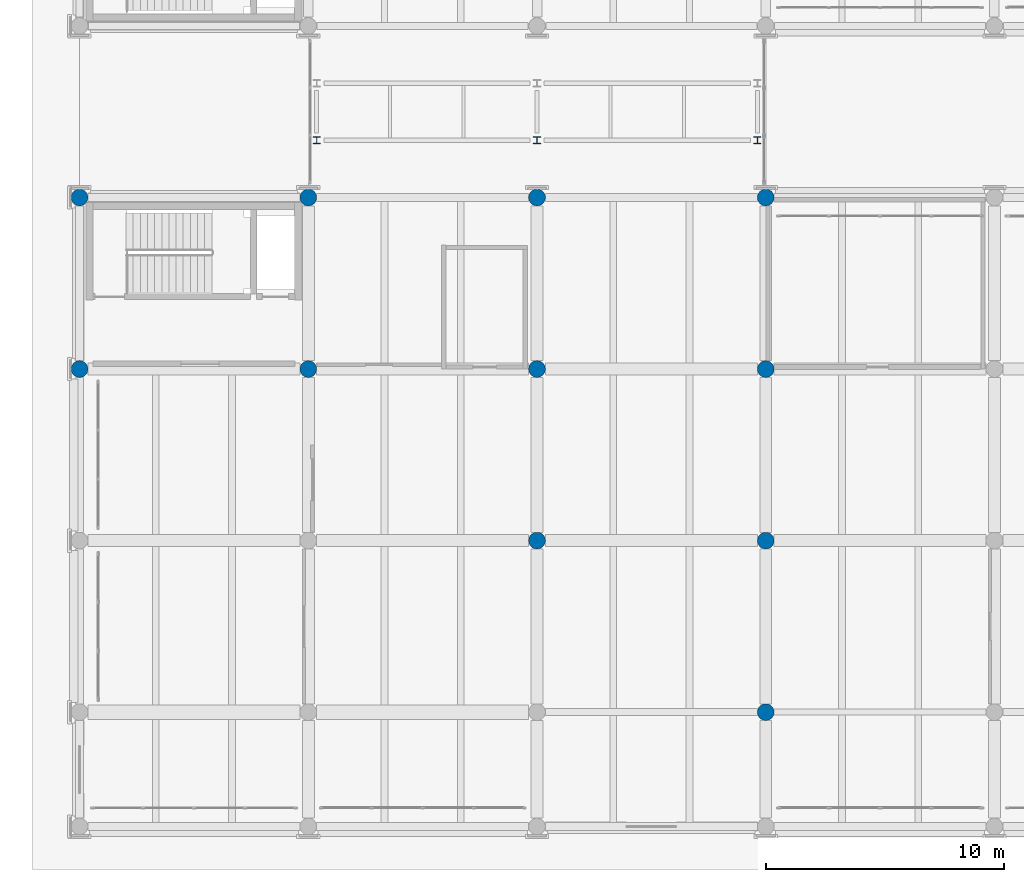
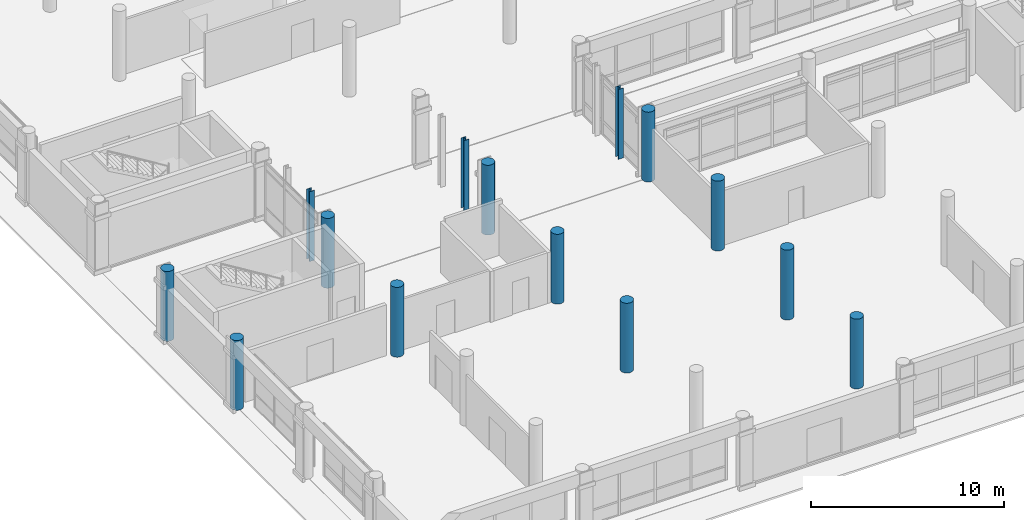
# One storey, part 10 of 196: 14 columns.
"""IFC4 building model written with IfcOpenShell, lengths in metres."""

from ifc_helpers import new_model, si_unit, direction, frame, origin, origin_2d, place, context, subcontext, project, spatial, circle, i_section, extrude, material, material_profile, profile_set, type_object, element, save


model = new_model("IFC4")

# Units and contexts
model_context = context("Model", 3, precision=1e-05, world=origin(), true_north=direction((0.0, 1.0)))
body_context = subcontext(model_context, "Body", "Model", "MODEL_VIEW")
ifc_project = project(units=[si_unit("LENGTHUNIT", "METRE"), si_unit("AREAUNIT", "SQUARE_METRE"), si_unit("VOLUMEUNIT", "CUBIC_METRE"), si_unit("PLANEANGLEUNIT", "RADIAN"), si_unit("MASSUNIT", "GRAM", prefix="KILO")], contexts=[model_context])

# Site, building, storey
site_placement = place(None, origin())
site = spatial("IfcSite", under=ifc_project, at=site_placement, CompositionType="ELEMENT")
building_placement = place(site_placement, origin())
building = spatial("IfcBuilding", under=site, at=building_placement, Name="Asteropetra Specialist Clinic", CompositionType="ELEMENT")
storey_placement = place(building_placement, origin())
storey = spatial("IfcBuildingStorey", under=building, at=storey_placement, Name="L00", CompositionType="ELEMENT", Elevation=0.0)

# Columns
ifc_material_1 = material(Name="Concrete C35/45", Category="concrete")
ifc_material_profile_1 = material_profile(ifc_material_1, circle(Radius=0.35009765625, at=origin_2d()), Name="RCC D700")
ifc_profile_set_1 = profile_set([ifc_material_profile_1], Name="Concrete C35/45")
column_type_1 = type_object("IfcColumnType", Name="COL-DORIC700", PredefinedType="COLUMN", material=ifc_profile_set_1)
for number, where, z_axis, x_axis, name in (
    (1, (0.0, 19.199951171875, 0.0), (0.0, 0.0, 1.0), (1.0, 0.0, 0.0), "Column CCOL13-0011"),
    (2, (0.0, 26.39990234375, 0.0), (0.0, 0.0, 1.0), (1.0, 0.0, 0.0), "Column CCOL13-0014"),
    (3, (9.60009765625, 19.199951171875, 0.0), (0.0, 0.0, 1.0), (1.0, 0.0, 0.0), "Column CCOL13-0091"),
    (4, (9.60009765625, 26.39990234375, 0.0), (0.0, 0.0, 1.0), (1.0, 0.0, 0.0), "Column CCOL13-0094"),
    (5, (19.199951171875, 12.0, 0.0), (0.0, 0.0, 1.0), (1.0, 0.0, 0.0), "Column CCOL13-0184"),
    (6, (19.199951171875, 19.199951171875, 0.0), (0.0, 0.0, 1.0), (1.0, 0.0, 0.0), "Column CCOL13-0187"),
    (7, (19.199951171875, 26.39990234375, 0.0), (0.0, 0.0, 1.0), (1.0, 0.0, 0.0), "Column CCOL13-0190"),
    (8, (28.800048828125, 4.800048828125, 0.0), (0.0, 0.0, 1.0), (1.0, 0.0, 0.0), "Column CCOL13-0281"),
    (9, (28.800048828125, 12.0, 0.0), (0.0, 0.0, 1.0), (1.0, 0.0, 0.0), "Column CCOL13-0284"),
    (10, (28.800048828125, 19.199951171875, 0.0), (0.0, 0.0, 1.0), (1.0, 0.0, 0.0), "Column CCOL13-0287"),
    (11, (28.800048828125, 26.39990234375, 0.0), (0.0, 0.0, 1.0), (1.0, 0.0, 0.0), "Column CCOL13-0290"),
):
    element("IfcColumn", number, at=place(storey_placement, frame(where, z_axis=z_axis, x_axis=x_axis)), inside=storey, type_object=column_type_1, Name=name, PredefinedType="COLUMN", context=body_context, shape_type="SweptSolid", body=[
        extrude(circle(Radius=0.35009765625, at=origin_2d()), origin(), (0.0, 0.0, 1.0), 4.419921875),
    ])
ifc_material_2 = material(Name="Steel S355", Category="steel")
ifc_material_profile_2 = material_profile(ifc_material_2, i_section(OverallWidth=0.300048828125, OverallDepth=0.300048828125, WebThickness=0.010986328125, FlangeThickness=0.01904296875, FilletRadius=0.027099609375, at=origin_2d()), Name="HEB 300")
ifc_profile_set_2 = profile_set([ifc_material_profile_2], Name="Steel S355")
column_type_2 = type_object("IfcColumnType", Name="COL-STL-HEB300", PredefinedType="COLUMN", material=ifc_profile_set_2)
for number, where, z_axis, x_axis, name in (
    (12, (9.949951171875, 28.800048828125, 0.0), (0.0, 0.0, 1.0), (1.0, 0.0, 0.0), "Column CCOLS1-0162"),
    (13, (19.199951171875, 28.800048828125, 0.0), (0.0, 0.0, 1.0), (1.0, 0.0, 0.0), "Column CCOLS1-0193"),
    (14, (28.449951171875, 28.800048828125, 0.0), (0.0, 0.0, 1.0), (1.0, 0.0, 0.0), "Column CCOLS1-0262"),
):
    element("IfcColumn", number, at=place(storey_placement, frame(where, z_axis=z_axis, x_axis=x_axis)), inside=storey, type_object=column_type_2, Name=name, PredefinedType="COLUMN", context=body_context, shape_type="SweptSolid", body=[
        extrude(i_section(OverallWidth=0.300048828125, OverallDepth=0.300048828125, WebThickness=0.010986328125, FlangeThickness=0.01904296875, FilletRadius=0.027099609375, at=origin_2d()), origin(), (0.0, 0.0, 1.0), 4.419921875),
    ])

save(model, "model.ifc")
